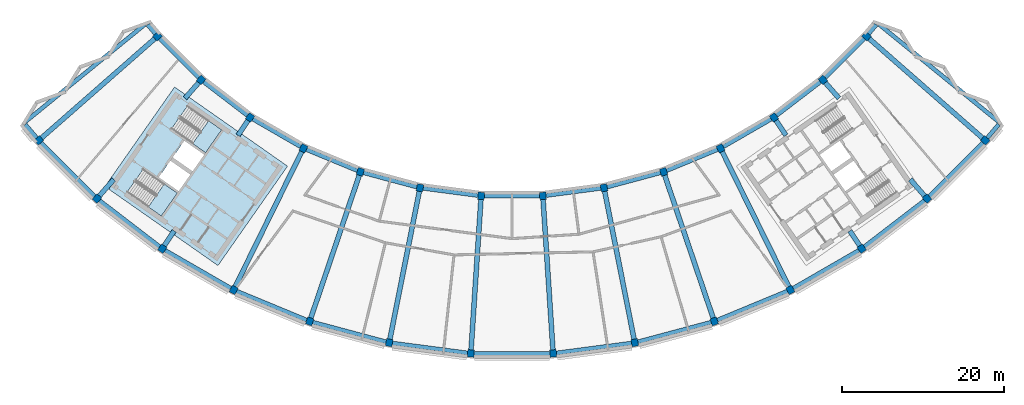
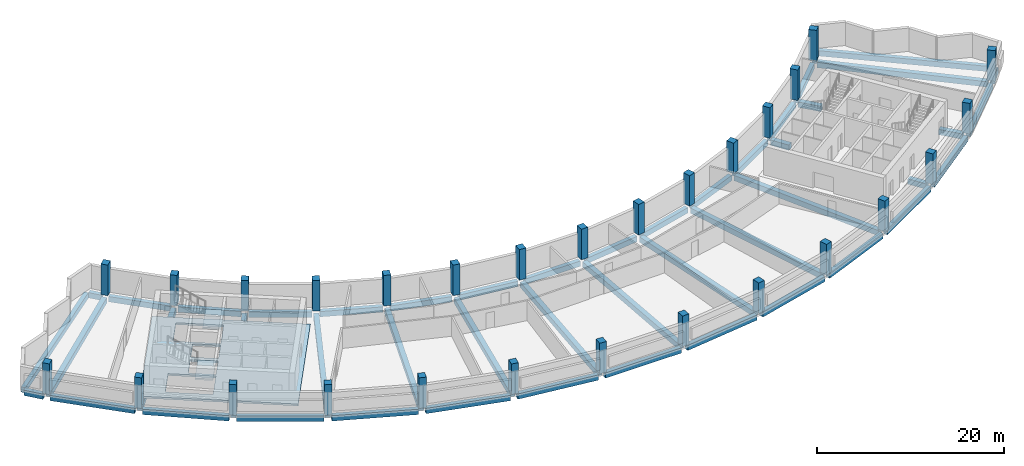
# One storey, part 1 of 11: 50 beams, 28 columns, 3 slabs, 2 elements without a shape of their own.
"""IFC4 building model written with IfcOpenShell, lengths in metres."""

from ifc_helpers import new_model, si_unit, direction, frame, origin, origin_2d, place, context, subcontext, project, spatial, polyline, rectangle, outline, extrude, material, layer, layer_set, material_profile, profile_set, type_object, element, aggregate, save


model = new_model("IFC4")

# Units and contexts
model_context = context("Model", 3, precision=1e-05, world=origin(), true_north=direction((0.0, 1.0)))
body_context = subcontext(model_context, "Body", "Model", "MODEL_VIEW")
ifc_project = project(units=[si_unit("LENGTHUNIT", "METRE"), si_unit("AREAUNIT", "SQUARE_METRE"), si_unit("VOLUMEUNIT", "CUBIC_METRE"), si_unit("PLANEANGLEUNIT", "RADIAN"), si_unit("MASSUNIT", "GRAM", prefix="KILO")], contexts=[model_context])

# Site, building, storey
site_placement = place(None, origin())
site = spatial("IfcSite", under=ifc_project, at=site_placement, CompositionType="ELEMENT")
building_placement = place(site_placement, origin())
building = spatial("IfcBuilding", under=site, at=building_placement, Name="Qamariyya Broadcast Tower", CompositionType="ELEMENT")
storey_placement = place(building_placement, frame((0.0, 0.0, 302.699951171875)))
storey = spatial("IfcBuildingStorey", under=building, at=storey_placement, Name="L73", CompositionType="ELEMENT", Elevation=302.699951171875)

# Columns
ifc_material_1 = material(Name="Concrete C50/60", Category="concrete")
ifc_material_profile_1 = material_profile(ifc_material_1, rectangle(XDim=0.800048828125, YDim=0.89990234375, at=origin_2d()))
ifc_profile_set_1 = profile_set([ifc_material_profile_1], Name="Concrete C50/60")
column_type = type_object("IfcColumnType", Name="RC column 800 x 900 C50/60", PredefinedType="COLUMN", material=ifc_profile_set_1)
for number, where, z_axis, x_axis, name in (
    (1, (-43.794677734375, -38.406982421875, 0.0), (0.0, 0.0, 1.0), (0.6593458151, -0.751839807479, 0.0), "Column C13 L73 B-R04"),
    (2, (-58.45556640625, -51.26416015625, 0.0), (0.0, 0.0, 1.0), (0.6593458151, -0.751839807479, 0.0), "Column C13 L73 C-R04"),
    (3, (-38.406982421875, -43.794677734375, 0.0), (0.0, 0.0, 1.0), (0.751839807479, -0.6593458151, 0.0), "Column C13 L73 B-R05"),
    (4, (-51.26416015625, -58.45556640625, 0.0), (0.0, 0.0, 1.0), (0.751839807479, -0.6593458151, 0.0), "Column C13 L73 C-R05"),
    (5, (-32.362060546875, -48.43310546875, 0.0), (0.0, 0.0, 1.0), (0.831469612303, -0.55557023302, 0.0), "Column C13 L73 B-R06"),
    (6, (-43.195556640625, -64.646728515625, 0.0), (0.0, 0.0, 1.0), (0.831469612303, -0.55557023302, 0.0), "Column C13 L73 C-R06"),
    (7, (-25.763427734375, -52.242919921875, 0.0), (0.0, 0.0, 1.0), (0.896872741533, -0.442288690219, 0.0), "Column C13 L73 B-R07"),
    (8, (-34.387939453125, -69.73193359375, 0.0), (0.0, 0.0, 1.0), (0.896872741533, -0.442288690219, 0.0), "Column C13 L73 C-R07"),
    (9, (-18.723876953125, -55.15869140625, 0.0), (0.0, 0.0, 1.0), (0.946930129495, -0.321439465303, 0.0), "Column C13 L73 B-R08"),
    (10, (-24.991943359375, -73.623779296875, 0.0), (0.0, 0.0, 1.0), (0.946930129495, -0.321439465303, 0.0), "Column C13 L73 C-R08"),
    (11, (-11.364013671875, -57.130859375, 0.0), (0.0, 0.0, 1.0), (0.980785280403, -0.195090322016, 0.0), "Column C13 L73 B-R09"),
    (12, (-15.168212890625, -76.256103515625, 0.0), (0.0, 0.0, 1.0), (0.980785280403, -0.195090322016, 0.0), "Column C13 L73 C-R09"),
    (13, (-3.809814453125, -58.125244140625, 0.0), (0.0, 0.0, 1.0), (0.997858923239, -0.06540312923, 0.0), "Column C13 L73 B-R10"),
    (14, (-5.085205078125, -77.58349609375, 0.0), (0.0, 0.0, 1.0), (0.997858923239, -0.06540312923, 0.0), "Column C13 L73 C-R10"),
    (15, (3.809814453125, -58.125244140625, 0.0), (0.0, 0.0, 1.0), (0.997858923239, 0.06540312923, 0.0), "Column C13 L73 B-R11"),
    (16, (5.085205078125, -77.58349609375, 0.0), (0.0, 0.0, 1.0), (0.997858923239, 0.06540312923, 0.0), "Column C13 L73 C-R11"),
    (17, (11.364013671875, -57.130859375, 0.0), (0.0, 0.0, 1.0), (0.980785280403, 0.195090322016, 0.0), "Column C13 L73 B-R12"),
    (18, (15.168212890625, -76.256103515625, 0.0), (0.0, 0.0, 1.0), (0.980785280403, 0.195090322016, 0.0), "Column C13 L73 C-R12"),
    (19, (18.723876953125, -55.15869140625, 0.0), (0.0, 0.0, 1.0), (0.946930129495, 0.321439465303, 0.0), "Column C13 L73 B-R13"),
    (20, (24.991943359375, -73.623779296875, 0.0), (0.0, 0.0, 1.0), (0.946930129495, 0.321439465303, 0.0), "Column C13 L73 C-R13"),
    (21, (25.763427734375, -52.242919921875, 0.0), (0.0, 0.0, 1.0), (0.896872741533, 0.442288690219, 0.0), "Column C13 L73 B-R14"),
    (22, (34.387939453125, -69.73193359375, 0.0), (0.0, 0.0, 1.0), (0.896872741533, 0.442288690219, 0.0), "Column C13 L73 C-R14"),
    (23, (32.362060546875, -48.43310546875, 0.0), (0.0, 0.0, 1.0), (0.831469612303, 0.55557023302, 0.0), "Column C13 L73 B-R15"),
    (24, (43.195556640625, -64.646728515625, 0.0), (0.0, 0.0, 1.0), (0.831469612303, 0.55557023302, 0.0), "Column C13 L73 C-R15"),
    (25, (38.406982421875, -43.794677734375, 0.0), (0.0, 0.0, 1.0), (0.751839807479, 0.6593458151, 0.0), "Column C13 L73 B-R16"),
    (26, (51.26416015625, -58.45556640625, 0.0), (0.0, 0.0, 1.0), (0.751839807479, 0.6593458151, 0.0), "Column C13 L73 C-R16"),
    (27, (43.794677734375, -38.406982421875, 0.0), (0.0, 0.0, 1.0), (0.6593458151, 0.751839807479, 0.0), "Column C13 L73 B-R17"),
    (28, (58.45556640625, -51.26416015625, 0.0), (0.0, 0.0, 1.0), (0.6593458151, 0.751839807479, 0.0), "Column C13 L73 C-R17"),
):
    element("IfcColumn", number, at=place(storey_placement, frame(where, z_axis=z_axis, x_axis=x_axis)), inside=storey, type_object=column_type, Name=name, PredefinedType="COLUMN", context=body_context, shape_type="SweptSolid", body=[
        extrude(rectangle(XDim=0.800048828125, YDim=0.89990234375, at=origin_2d()), origin(), (0.0, 0.0, 1.0), 4.0),
    ])

# Beams
ifc_material_2 = material(Name="Concrete C40/50", Category="concrete")
ifc_material_profile_2 = material_profile(ifc_material_2, rectangle(XDim=0.5, YDim=0.699951171875, at=origin_2d()))
ifc_profile_set_2 = profile_set([ifc_material_profile_2], Name="Concrete C40/50")
beam_type_1 = type_object("IfcBeamType", Name="RC edge beam 500 x 700 C40/50", PredefinedType="SPANDREL", material=ifc_profile_set_2)
beam_1_placement = place(storey_placement, frame((-43.51123046875, -38.6904296875, -0.599853515625), z_axis=(0.707106781187, -0.707106781187, 0.0), x_axis=(0.707106781187, 0.707106781187, 0.0)))
element("IfcBeam", 29, at=beam_1_placement, inside=storey, type_object=beam_type_1, Name="Edge beam B32 L73 B R04-R05", PredefinedType="SPANDREL", context=body_context, shape_type="SweptSolid", body=[
    extrude(rectangle(XDim=0.5, YDim=0.699951171875, at=origin_2d()), origin(), (0.0, 0.0, 1.0), 6.817626953125),
])
for number, where, z_axis, x_axis, name in (
    (30, (-38.0888671875, -44.03857421875, -0.599853515625), (0.793355578527, -0.608758512072, 0.0), (0.608758512072, 0.793355578527, 0.0), "Edge beam B32 L73 B R05-R06"),
    (31, (-32.014892578125, -48.633544921875, -0.599853515625), (0.866028756998, -0.499994192018, 0.0), (0.499994192018, 0.866028756998, 0.0), "Edge beam B32 L73 B R06-R07"),
    (32, (-25.39306640625, -52.396240234375, -0.599853515625), (0.923875859791, -0.382692298976, 0.0), (0.382692298976, 0.923875859791, 0.0), "Edge beam B32 L73 B R07-R08"),
    (33, (-18.336669921875, -55.262451171875, -0.599853515625), (0.965922796001, -0.258830354026, 0.0), (0.258830354026, 0.965922796001, 0.0), "Edge beam B32 L73 B R08-R09"),
):
    element("IfcBeam", number, at=place(storey_placement, frame(where, z_axis=z_axis, x_axis=x_axis)), inside=storey, type_object=beam_type_1, Name=name, PredefinedType="SPANDREL", context=body_context, shape_type="SweptSolid", body=[
        extrude(rectangle(XDim=0.5, YDim=0.699951171875, at=origin_2d()), origin(), (0.0, 0.0, 1.0), 6.81787109375),
    ])
beam_2_placement = place(storey_placement, frame((-10.966552734375, -57.18310546875, -0.599853515625), z_axis=(0.991444541835, -0.130528619338, 0.0), x_axis=(0.130528619338, 0.991444541835, 0.0)))
element("IfcBeam", 34, at=beam_2_placement, inside=storey, type_object=beam_type_1, Name="Edge beam B32 L73 B R09-R10", PredefinedType="SPANDREL", context=body_context, shape_type="SweptSolid", body=[
    extrude(rectangle(XDim=0.5, YDim=0.699951171875, at=origin_2d()), origin(), (0.0, 0.0, 1.0), 6.817626953125),
])
beam_3_placement = place(storey_placement, frame((-3.408935546875, -58.125244140625, -0.599853515625), z_axis=(1.0, 0.0, 0.0), x_axis=(0.0, 1.0, 0.0)))
element("IfcBeam", 35, at=beam_3_placement, inside=storey, type_object=beam_type_1, Name="Edge beam B32 L73 B R10-R11", PredefinedType="SPANDREL", context=body_context, shape_type="SweptSolid", body=[
    extrude(rectangle(XDim=0.5, YDim=0.699951171875, at=origin_2d()), origin(), (0.0, 0.0, 1.0), 6.81787109375),
])
beam_4_placement = place(storey_placement, frame((4.207275390625, -58.072998046875, -0.599853515625), z_axis=(0.991444541835, 0.130528619338, 0.0), x_axis=(-0.130528619338, 0.991444541835, 0.0)))
element("IfcBeam", 36, at=beam_4_placement, inside=storey, type_object=beam_type_1, Name="Edge beam B32 L73 B R11-R12", PredefinedType="SPANDREL", context=body_context, shape_type="SweptSolid", body=[
    extrude(rectangle(XDim=0.5, YDim=0.699951171875, at=origin_2d()), origin(), (0.0, 0.0, 1.0), 6.817626953125),
])
for number, where, z_axis, x_axis, name in (
    (37, (11.751220703125, -57.027099609375, -0.599853515625), (0.965922796001, 0.258830354026, 0.0), (-0.258830354026, 0.965922796001, 0.0), "Edge beam B32 L73 B R12-R13"),
    (38, (19.09423828125, -55.00537109375, -0.599853515625), (0.923875859791, 0.382692298976, 0.0), (-0.382692298976, 0.923875859791, 0.0), "Edge beam B32 L73 B R13-R14"),
    (39, (26.1103515625, -52.04248046875, -0.599853515625), (0.866028756998, 0.499994192018, 0.0), (-0.499994192018, 0.866028756998, 0.0), "Edge beam B32 L73 B R14-R15"),
    (40, (32.679931640625, -48.18896484375, -0.599853515625), (0.793355578527, 0.608758512072, 0.0), (-0.608758512072, 0.793355578527, 0.0), "Edge beam B32 L73 B R15-R16"),
):
    element("IfcBeam", number, at=place(storey_placement, frame(where, z_axis=z_axis, x_axis=x_axis)), inside=storey, type_object=beam_type_1, Name=name, PredefinedType="SPANDREL", context=body_context, shape_type="SweptSolid", body=[
        extrude(rectangle(XDim=0.5, YDim=0.699951171875, at=origin_2d()), origin(), (0.0, 0.0, 1.0), 6.81787109375),
    ])
beam_5_placement = place(storey_placement, frame((38.6904296875, -43.51123046875, -0.599853515625), z_axis=(0.707106781187, 0.707106781187, 0.0), x_axis=(-0.707106781187, 0.707106781187, 0.0)))
element("IfcBeam", 41, at=beam_5_placement, inside=storey, type_object=beam_type_1, Name="Edge beam B32 L73 B R16-R17", PredefinedType="SPANDREL", context=body_context, shape_type="SweptSolid", body=[
    extrude(rectangle(XDim=0.5, YDim=0.699951171875, at=origin_2d()), origin(), (0.0, 0.0, 1.0), 6.817626953125),
])
for number, where, z_axis, x_axis, name in (
    (42, (-58.172119140625, -51.547607421875, -0.599853515625), (0.707106781187, -0.707106781187, 0.0), (0.707106781187, 0.707106781187, 0.0), "Edge beam B32 L73 C R04-R05"),
    (43, (-50.946044921875, -58.699462890625, -0.599853515625), (0.793337425087, -0.608782169545, 0.0), (0.608782169545, 0.793337425087, 0.0), "Edge beam B32 L73 C R05-R06"),
    (44, (-42.848388671875, -64.84716796875, -0.599853515625), (0.866019808396, -0.500009691372, 0.0), (0.500009691372, 0.866019808396, 0.0), "Edge beam B32 L73 C R06-R07"),
    (45, (-34.017578125, -69.88525390625, -0.599853515625), (0.923876761165, -0.382690122919, 0.0), (0.382690122919, 0.923876761165, 0.0), "Edge beam B32 L73 C R07-R08"),
):
    element("IfcBeam", number, at=place(storey_placement, frame(where, z_axis=z_axis, x_axis=x_axis)), inside=storey, type_object=beam_type_1, Name=name, PredefinedType="SPANDREL", context=body_context, shape_type="SweptSolid", body=[
        extrude(rectangle(XDim=0.5, YDim=0.699951171875, at=origin_2d()), origin(), (0.0, 0.0, 1.0), 9.368408203125),
    ])
beam_6_placement = place(storey_placement, frame((-24.604736328125, -73.7275390625, -0.599853515625), z_axis=(0.965924554352, -0.258823791988, 0.0), x_axis=(0.258823791988, 0.965924554352, 0.0)))
element("IfcBeam", 46, at=beam_6_placement, inside=storey, type_object=beam_type_1, Name="Edge beam B32 L73 C R08-R09", PredefinedType="SPANDREL", context=body_context, shape_type="SweptSolid", body=[
    extrude(rectangle(XDim=0.5, YDim=0.699951171875, at=origin_2d()), origin(), (0.0, 0.0, 1.0), 9.36865234375),
])
beam_7_placement = place(storey_placement, frame((-14.770751953125, -76.308349609375, -0.599853515625), z_axis=(0.991443914621, -0.130533383318, 0.0), x_axis=(0.130533383318, 0.991443914621, 0.0)))
element("IfcBeam", 47, at=beam_7_placement, inside=storey, type_object=beam_type_1, Name="Edge beam B32 L73 C R09-R10", PredefinedType="SPANDREL", context=body_context, shape_type="SweptSolid", body=[
    extrude(rectangle(XDim=0.5, YDim=0.699951171875, at=origin_2d()), origin(), (0.0, 0.0, 1.0), 9.368408203125),
])
beam_8_placement = place(storey_placement, frame((-4.684326171875, -77.58349609375, -0.599853515625), z_axis=(1.0, 0.0, 0.0), x_axis=(0.0, 1.0, 0.0)))
element("IfcBeam", 48, at=beam_8_placement, inside=storey, type_object=beam_type_1, Name="Edge beam B32 L73 C R10-R11", PredefinedType="SPANDREL", context=body_context, shape_type="SweptSolid", body=[
    extrude(rectangle(XDim=0.5, YDim=0.699951171875, at=origin_2d()), origin(), (0.0, 0.0, 1.0), 9.36865234375),
])
beam_9_placement = place(storey_placement, frame((5.482421875, -77.53125, -0.599853515625), z_axis=(0.991443914621, 0.130533383318, 0.0), x_axis=(-0.130533383318, 0.991443914621, 0.0)))
element("IfcBeam", 49, at=beam_9_placement, inside=storey, type_object=beam_type_1, Name="Edge beam B32 L73 C R11-R12", PredefinedType="SPANDREL", context=body_context, shape_type="SweptSolid", body=[
    extrude(rectangle(XDim=0.5, YDim=0.699951171875, at=origin_2d()), origin(), (0.0, 0.0, 1.0), 9.368408203125),
])
beam_10_placement = place(storey_placement, frame((15.555419921875, -76.15234375, -0.599853515625), z_axis=(0.965924554352, 0.258823791988, 0.0), x_axis=(-0.258823791988, 0.965924554352, 0.0)))
element("IfcBeam", 50, at=beam_10_placement, inside=storey, type_object=beam_type_1, Name="Edge beam B32 L73 C R12-R13", PredefinedType="SPANDREL", context=body_context, shape_type="SweptSolid", body=[
    extrude(rectangle(XDim=0.5, YDim=0.699951171875, at=origin_2d()), origin(), (0.0, 0.0, 1.0), 9.36865234375),
])
for number, where, z_axis, x_axis, name in (
    (51, (25.3623046875, -73.470458984375, -0.599853515625), (0.923876761165, 0.382690122919, 0.0), (-0.382690122919, 0.923876761165, 0.0), "Edge beam B32 L73 C R13-R14"),
    (52, (34.735107421875, -69.531494140625, -0.599853515625), (0.866019808396, 0.500009691372, 0.0), (-0.500009691372, 0.866019808396, 0.0), "Edge beam B32 L73 C R14-R15"),
    (53, (43.513671875, -64.40283203125, -0.599853515625), (0.793337425087, 0.608782169545, 0.0), (-0.608782169545, 0.793337425087, 0.0), "Edge beam B32 L73 C R15-R16"),
    (54, (51.547607421875, -58.172119140625, -0.599853515625), (0.707106781187, 0.707106781187, 0.0), (-0.707106781187, 0.707106781187, 0.0), "Edge beam B32 L73 C R16-R17"),
):
    element("IfcBeam", number, at=place(storey_placement, frame(where, z_axis=z_axis, x_axis=x_axis)), inside=storey, type_object=beam_type_1, Name=name, PredefinedType="SPANDREL", context=body_context, shape_type="SweptSolid", body=[
        extrude(rectangle(XDim=0.5, YDim=0.699951171875, at=origin_2d()), origin(), (0.0, 0.0, 1.0), 9.368408203125),
    ])
ifc_material_profile_3 = material_profile(ifc_material_2, rectangle(XDim=0.5, YDim=0.699951171875, at=origin_2d()))
ifc_profile_set_3 = profile_set([ifc_material_profile_3], Name="Concrete C40/50")
beam_type_2 = type_object("IfcBeamType", Name="RC horn beam 500 x 700 C40/50", PredefinedType="BEAM", material=ifc_profile_set_3)
beam_11_placement = place(storey_placement, frame((-44.052978515625, -38.101318359375, -0.599853515625), z_axis=(-0.645562267298, 0.763707639769, 0.0), x_axis=(-0.763707639769, -0.645562267298, 0.0)))
element("IfcBeam", 55, at=beam_11_placement, inside=storey, type_object=beam_type_2, Name="Horn beam B33 L73 W B-R04", PredefinedType="BEAM", context=body_context, shape_type="SweptSolid", body=[
    extrude(rectangle(XDim=0.5, YDim=0.699951171875, at=origin_2d()), origin(), (0.0, 0.0, 1.0), 1.46923828125),
])
beam_12_placement = place(storey_placement, frame((-58.7138671875, -50.95849609375, -0.599853515625), z_axis=(-0.645580484074, 0.763692240751, 0.0), x_axis=(-0.763692240751, -0.645580484074, 0.0)))
element("IfcBeam", 56, at=beam_12_placement, inside=storey, type_object=beam_type_2, Name="Horn beam B33 L73 W C-R04", PredefinedType="BEAM", context=body_context, shape_type="SweptSolid", body=[
    extrude(rectangle(XDim=0.5, YDim=0.699951171875, at=origin_2d()), origin(), (0.0, 0.0, 1.0), 2.1787109375),
])
beam_13_placement = place(storey_placement, frame((44.052978515625, -38.101318359375, -0.599853515625), z_axis=(0.645562267298, 0.763707639769, 0.0), x_axis=(-0.763707639769, 0.645562267298, 0.0)))
element("IfcBeam", 57, at=beam_13_placement, inside=storey, type_object=beam_type_2, Name="Horn beam B33 L73 E B-R17", PredefinedType="BEAM", context=body_context, shape_type="SweptSolid", body=[
    extrude(rectangle(XDim=0.5, YDim=0.699951171875, at=origin_2d()), origin(), (0.0, 0.0, 1.0), 1.46923828125),
])
beam_14_placement = place(storey_placement, frame((58.7138671875, -50.95849609375, -0.599853515625), z_axis=(0.645580484074, 0.763692240751, 0.0), x_axis=(-0.763692240751, 0.645580484074, 0.0)))
element("IfcBeam", 58, at=beam_14_placement, inside=storey, type_object=beam_type_2, Name="Horn beam B33 L73 E C-R17", PredefinedType="BEAM", context=body_context, shape_type="SweptSolid", body=[
    extrude(rectangle(XDim=0.5, YDim=0.699951171875, at=origin_2d()), origin(), (0.0, 0.0, 1.0), 2.1787109375),
])
ifc_material_profile_4 = material_profile(ifc_material_2, rectangle(XDim=0.5, YDim=0.699951171875, at=origin_2d()))
ifc_profile_set_4 = profile_set([ifc_material_profile_4], Name="Concrete C40/50")
beam_type_3 = type_object("IfcBeamType", Name="RC horn cap beam 500 x 700 C40/50", PredefinedType="BEAM", material=ifc_profile_set_4)
for number, where, z_axis, x_axis, name in (
    (59, (-45.356689453125, -36.9462890625, -0.599853515625), (-0.775330061416, -0.631556249169, 0.0), (0.631556249169, -0.775330061416, 0.0), "Horn cap beam B21 L73 W B-C"),
    (60, (45.356689453125, -36.9462890625, -0.599853515625), (0.775330061416, -0.631556249169, 0.0), (0.631556249169, 0.775330061416, 0.0), "Horn cap beam B21 L73 E B-C"),
):
    element("IfcBeam", number, at=place(storey_placement, frame(where, z_axis=z_axis, x_axis=x_axis)), inside=storey, type_object=beam_type_3, Name=name, PredefinedType="BEAM", context=body_context, shape_type="SweptSolid", body=[
        extrude(rectangle(XDim=0.5, YDim=0.699951171875, at=origin_2d()), origin(), (0.0, 0.0, 1.0), 19.0),
    ])
ifc_material_profile_5 = material_profile(ifc_material_2, rectangle(XDim=0.60009765625, YDim=0.699951171875, at=origin_2d()))
ifc_profile_set_5 = profile_set([ifc_material_profile_5], Name="Concrete C40/50")
beam_type_4 = type_object("IfcBeamType", Name="RC radial beam 600 x 700 C40/50", PredefinedType="BEAM", material=ifc_profile_set_5)
beam_15_placement = place(storey_placement, frame((-44.133056640625, -38.70361328125, -0.599853515625), z_axis=(-0.751835479309, -0.659350750399, 0.0), x_axis=(0.659350750399, -0.751835479309, 0.0)))
element("IfcBeam", 61, at=beam_15_placement, inside=storey, type_object=beam_type_4, Name="Radial beam B31 L73 R04 B-C", PredefinedType="BEAM", context=body_context, shape_type="SweptSolid", body=[
    extrude(rectangle(XDim=0.60009765625, YDim=0.699951171875, at=origin_2d()), origin(), (0.0, 0.0, 1.0), 18.60009765625),
])
beam_16_placement = place(storey_placement, frame((-38.70361328125, -44.133056640625, -0.599853515625), z_axis=(-0.65936701245, -0.751821217373, 0.0), x_axis=(0.751821217373, -0.65936701245, 0.0)))
element("IfcBeam", 62, at=beam_16_placement, inside=storey, type_object=beam_type_4, Name="Radial beam B31 L73 R05 B-C", PredefinedType="BEAM", context=body_context, shape_type="SweptSolid", body=[
    extrude(rectangle(XDim=0.60009765625, YDim=0.699951171875, at=origin_2d()), origin(), (0.0, 0.0, 1.0), 2.56396484375),
])
beam_17_placement = place(storey_placement, frame((-49.1943359375, -56.095458984375, -0.599853515625), z_axis=(-0.659384708976, -0.751805696686, 0.0), x_axis=(0.751805696686, -0.659384708976, 0.0)))
element("IfcBeam", 63, at=beam_17_placement, inside=storey, type_object=beam_type_4, Name="Radial beam B31 L73 R05 B-C", PredefinedType="BEAM", context=body_context, shape_type="SweptSolid", body=[
    extrude(rectangle(XDim=0.60009765625, YDim=0.699951171875, at=origin_2d()), origin(), (0.0, 0.0, 1.0), 2.689208984375),
])
beam_18_placement = place(storey_placement, frame((-32.612060546875, -48.807373046875, -0.599853515625), z_axis=(-0.555590424473, -0.83145612045, 0.0), x_axis=(0.83145612045, -0.555590424473, 0.0)))
element("IfcBeam", 64, at=beam_18_placement, inside=storey, type_object=beam_type_4, Name="Radial beam B31 L73 R06 B-C", PredefinedType="BEAM", context=body_context, shape_type="SweptSolid", body=[
    extrude(rectangle(XDim=0.60009765625, YDim=0.699951171875, at=origin_2d()), origin(), (0.0, 0.0, 1.0), 2.21435546875),
])
beam_19_placement = place(storey_placement, frame((-41.733154296875, -62.458251953125, -0.599853515625), z_axis=(-0.555577686168, -0.83146463222, 0.0), x_axis=(0.83146463222, -0.555577686168, 0.0)))
element("IfcBeam", 65, at=beam_19_placement, inside=storey, type_object=beam_type_4, Name="Radial beam B31 L73 R06 B-C", PredefinedType="BEAM", context=body_context, shape_type="SweptSolid", body=[
    extrude(rectangle(XDim=0.60009765625, YDim=0.699951171875, at=origin_2d()), origin(), (0.0, 0.0, 1.0), 2.18212890625),
])
for number, where, z_axis, x_axis, name in (
    (66, (-25.96240234375, -52.646484375, -0.599853515625), (-0.442287277377, -0.896873438268, 0.0), (0.896873438268, -0.442287277377, 0.0), "Radial beam B31 L73 R07 B-C"),
    (67, (-18.868408203125, -55.584716796875, -0.599853515625), (-0.321436539423, -0.946931122692, 0.0), (0.946931122692, -0.321436539423, 0.0), "Radial beam B31 L73 R08 B-C"),
    (68, (-11.451904296875, -57.572021484375, -0.599853515625), (-0.195088681676, -0.980785606686, 0.0), (0.980785606686, -0.195088681676, 0.0), "Radial beam B31 L73 R09 B-C"),
    (69, (-3.839111328125, -58.57421875, -0.599853515625), (-0.065405603651, -0.997858761053, 0.0), (0.997858761053, -0.065405603651, 0.0), "Radial beam B31 L73 R10 B-C"),
    (70, (3.839111328125, -58.57421875, -0.599853515625), (0.065405603651, -0.997858761053, 0.0), (0.997858761053, 0.065405603651, 0.0), "Radial beam B31 L73 R11 B-C"),
    (71, (11.451904296875, -57.572021484375, -0.599853515625), (0.195088681676, -0.980785606686, 0.0), (0.980785606686, 0.195088681676, 0.0), "Radial beam B31 L73 R12 B-C"),
    (72, (18.868408203125, -55.584716796875, -0.599853515625), (0.321436539423, -0.946931122692, 0.0), (0.946931122692, 0.321436539423, 0.0), "Radial beam B31 L73 R13 B-C"),
    (73, (25.96240234375, -52.646484375, -0.599853515625), (0.442287277377, -0.896873438268, 0.0), (0.896873438268, 0.442287277377, 0.0), "Radial beam B31 L73 R14 B-C"),
):
    element("IfcBeam", number, at=place(storey_placement, frame(where, z_axis=z_axis, x_axis=x_axis)), inside=storey, type_object=beam_type_4, Name=name, PredefinedType="BEAM", context=body_context, shape_type="SweptSolid", body=[
        extrude(rectangle(XDim=0.60009765625, YDim=0.699951171875, at=origin_2d()), origin(), (0.0, 0.0, 1.0), 18.60009765625),
    ])
beam_20_placement = place(storey_placement, frame((32.612060546875, -48.807373046875, -0.599853515625), z_axis=(0.555590424473, -0.83145612045, 0.0), x_axis=(0.83145612045, 0.555590424473, 0.0)))
element("IfcBeam", 74, at=beam_20_placement, inside=storey, type_object=beam_type_4, Name="Radial beam B31 L73 R15 B-C", PredefinedType="BEAM", context=body_context, shape_type="SweptSolid", body=[
    extrude(rectangle(XDim=0.60009765625, YDim=0.699951171875, at=origin_2d()), origin(), (0.0, 0.0, 1.0), 2.21435546875),
])
beam_21_placement = place(storey_placement, frame((41.733154296875, -62.458251953125, -0.599853515625), z_axis=(0.555577686168, -0.83146463222, 0.0), x_axis=(0.83146463222, 0.555577686168, 0.0)))
element("IfcBeam", 75, at=beam_21_placement, inside=storey, type_object=beam_type_4, Name="Radial beam B31 L73 R15 B-C", PredefinedType="BEAM", context=body_context, shape_type="SweptSolid", body=[
    extrude(rectangle(XDim=0.60009765625, YDim=0.699951171875, at=origin_2d()), origin(), (0.0, 0.0, 1.0), 2.18212890625),
])
beam_22_placement = place(storey_placement, frame((38.70361328125, -44.133056640625, -0.599853515625), z_axis=(0.65936701245, -0.751821217373, 0.0), x_axis=(0.751821217373, 0.65936701245, 0.0)))
element("IfcBeam", 76, at=beam_22_placement, inside=storey, type_object=beam_type_4, Name="Radial beam B31 L73 R16 B-C", PredefinedType="BEAM", context=body_context, shape_type="SweptSolid", body=[
    extrude(rectangle(XDim=0.60009765625, YDim=0.699951171875, at=origin_2d()), origin(), (0.0, 0.0, 1.0), 2.56396484375),
])
beam_23_placement = place(storey_placement, frame((49.1943359375, -56.095458984375, -0.599853515625), z_axis=(0.659384708976, -0.751805696686, 0.0), x_axis=(0.751805696686, 0.659384708976, 0.0)))
element("IfcBeam", 77, at=beam_23_placement, inside=storey, type_object=beam_type_4, Name="Radial beam B31 L73 R16 B-C", PredefinedType="BEAM", context=body_context, shape_type="SweptSolid", body=[
    extrude(rectangle(XDim=0.60009765625, YDim=0.699951171875, at=origin_2d()), origin(), (0.0, 0.0, 1.0), 2.689208984375),
])
beam_24_placement = place(storey_placement, frame((44.133056640625, -38.70361328125, -0.599853515625), z_axis=(0.751835479309, -0.659350750399, 0.0), x_axis=(0.659350750399, 0.751835479309, 0.0)))
element("IfcBeam", 78, at=beam_24_placement, inside=storey, type_object=beam_type_4, Name="Radial beam B31 L73 R17 B-C", PredefinedType="BEAM", context=body_context, shape_type="SweptSolid", body=[
    extrude(rectangle(XDim=0.60009765625, YDim=0.699951171875, at=origin_2d()), origin(), (0.0, 0.0, 1.0), 18.60009765625),
])

# Slab
ifc_layer_1 = layer(ifc_material_2, 0.25)
ifc_layer_set_1 = layer_set([ifc_layer_1], Name="Core floor slab 250 mm Concrete C40/50")
slab_type_1 = type_object("IfcSlabType", Name="Core floor slab 250 mm Concrete C40/50", PredefinedType="FLOOR", material=ifc_layer_set_1)
slab_1_placement = place(storey_placement, frame((0.0, 0.0, -0.25)))
element("IfcSlab", 79, at=slab_1_placement, inside=storey, type_object=slab_type_1, Name="k-W-L73-slab", PredefinedType="FLOOR", context=body_context, shape_type="SweptSolid", body=[
    extrude(outline(polyline([(-50.286376953125, -56.95751953125), (-36.32373046875, -66.734375), (-27.719970703125, -54.447021484375), (-41.6826171875, -44.67041015625), (-50.286376953125, -56.95751953125)]), holes=[polyline([(-39.742431640625, -55.489990234375), (-42.199951171875, -53.769287109375), (-43.6337890625, -55.817138671875), (-41.17626953125, -57.537841796875), (-39.742431640625, -55.489990234375)]), polyline([(-39.45556640625, -55.080322265625), (-41.9130859375, -53.359619140625), (-40.47900390625, -51.311767578125), (-38.021728515625, -53.032470703125), (-39.45556640625, -55.080322265625)]), polyline([(-42.06103515625, -49.837890625), (-37.849609375, -52.78662109375), (-35.870849609375, -49.960693359375), (-40.082275390625, -47.01171875), (-42.06103515625, -49.837890625)]), polyline([(-47.538818359375, -57.66064453125), (-43.3271484375, -60.609619140625), (-41.348388671875, -57.783447265625), (-45.559814453125, -54.834716796875), (-47.538818359375, -57.66064453125)])]), origin(), (0.0, 0.0, 1.0), 0.25),
])

# Stair, slab
stair_type = type_object("IfcStairType", Name="Exit stair 24 risers of 167 mm", PredefinedType="HALF_TURN_STAIR", material=ifc_material_1)
stair_1_placement = place(storey_placement, origin())
stair_1 = element("IfcStair", 80, at=stair_1_placement, inside=storey, type_object=stair_type, Name="L73 Stair W2", PredefinedType="HALF_TURN_STAIR")
ifc_layer_2 = layer(ifc_material_1, 0.199951171875)
ifc_layer_set_2 = layer_set([ifc_layer_2], Name="Stair landing")
slab_type_2 = type_object("IfcSlabType", Name="Stair landing", PredefinedType="LANDING", material=ifc_layer_set_2)
slab_2_placement = place(storey_placement, frame((0.0, 0.0, 1.800048828125)))
slab_2 = element("IfcSlab", 81, at=slab_2_placement, type_object=slab_type_2, Name="ST-W2 landing 1", PredefinedType="LANDING", context=body_context, shape_type="SweptSolid", body=[
    extrude(outline(polyline([(-39.45458984375, -51.662841796875), (-37.849609375, -52.78662109375), (-35.870849609375, -49.960693359375), (-37.475830078125, -48.8369140625), (-39.45458984375, -51.662841796875)])), origin(), (0.0, 0.0, 1.0), 0.199951171875),
])
aggregate(stair_1, [slab_2])

stair_2_placement = place(storey_placement, origin())
stair_2 = element("IfcStair", 82, at=stair_2_placement, inside=storey, type_object=stair_type, Name="L73 Stair W1", PredefinedType="HALF_TURN_STAIR")
slab_3_placement = place(storey_placement, frame((0.0, 0.0, 1.800048828125)))
slab_3 = element("IfcSlab", 83, at=slab_3_placement, type_object=slab_type_2, Name="ST-W1 landing 1", PredefinedType="LANDING", context=body_context, shape_type="SweptSolid", body=[
    extrude(outline(polyline([(-44.93212890625, -59.48583984375), (-43.3271484375, -60.609619140625), (-41.348388671875, -57.783447265625), (-42.953369140625, -56.65966796875), (-44.93212890625, -59.48583984375)])), origin(), (0.0, 0.0, 1.0), 0.199951171875),
])
aggregate(stair_2, [slab_3])

save(model, "model.ifc")
